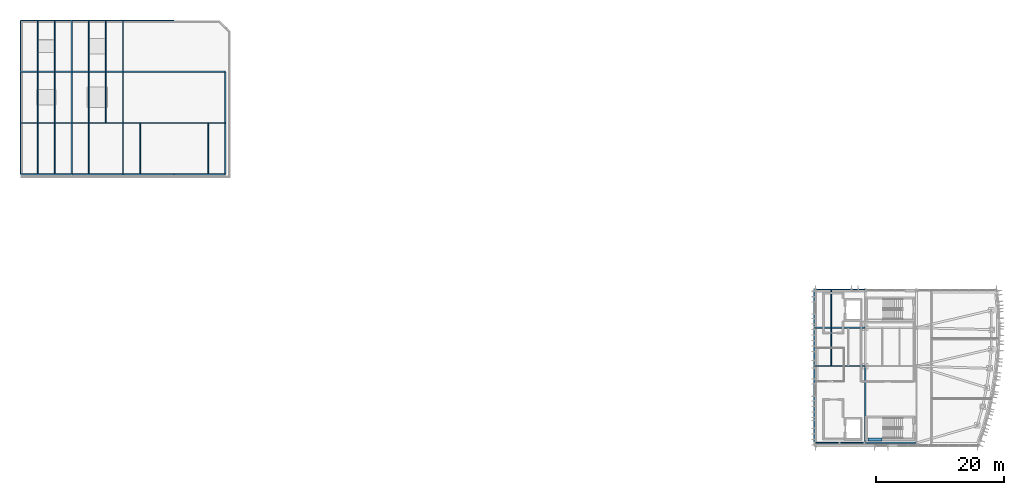
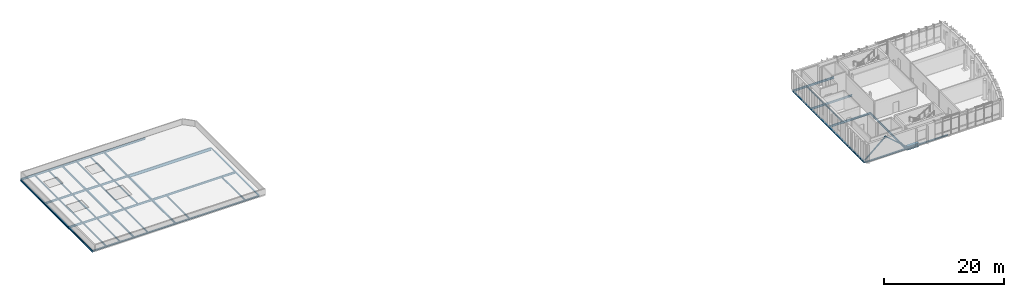
# One storey, part 2 of 14: 51 beams, 2 members.
"""IFC4 building model written with IfcOpenShell, lengths in metres."""

from ifc_helpers import new_model, si_unit, direction, frame, origin, origin_2d, place, context, subcontext, project, spatial, rectangle, hollow_rectangle, i_section, extrude, material, material_profile, profile_set, type_object, element, save


model = new_model("IFC4")

# Units and contexts
model_context = context("Model", 3, precision=1e-05, world=origin(), true_north=direction((0.0, 1.0)))
body_context = subcontext(model_context, "Body", "Model", "MODEL_VIEW")
ifc_project = project(units=[si_unit("LENGTHUNIT", "METRE"), si_unit("AREAUNIT", "SQUARE_METRE"), si_unit("VOLUMEUNIT", "CUBIC_METRE"), si_unit("PLANEANGLEUNIT", "RADIAN"), si_unit("MASSUNIT", "GRAM", prefix="KILO")], contexts=[model_context])

# Site, building, storey
site_placement = place(None, origin())
site = spatial("IfcSite", under=ifc_project, at=site_placement, CompositionType="ELEMENT")
building_placement = place(site_placement, origin())
building = spatial("IfcBuilding", under=site, at=building_placement, Name="Cymarion Research Institute", CompositionType="ELEMENT")
storey_placement = place(building_placement, frame((0.0, 0.0, 34.5)))
storey = spatial("IfcBuildingStorey", under=building, at=storey_placement, Name="L08", CompositionType="ELEMENT", Elevation=34.5)

# Beams
ifc_material_1 = material(Name="Concrete C40/50", Category="concrete")
ifc_material_profile_1 = material_profile(ifc_material_1, rectangle(XDim=0.5, YDim=0.800048828125, at=origin_2d()), Name="RC 500x800")
ifc_profile_set_1 = profile_set([ifc_material_profile_1], Name="Concrete C40/50")
beam_type_1 = type_object("IfcBeamType", Name="COUPLING LINTEL LN03 RC 500x800", PredefinedType="LINTEL", material=ifc_profile_set_1)
beam_1_placement = place(storey_placement, frame((147.0, 6.050048828125, -0.6201171875), z_axis=(1.0, 0.0, 0.0), x_axis=(0.0, 1.0, 0.0)))
element("IfcBeam", 1, at=beam_1_placement, inside=storey, type_object=beam_type_1, Name="L08 C1 core coupling lintel LN03", PredefinedType="LINTEL", context=body_context, shape_type="SweptSolid", body=[
    extrude(rectangle(XDim=0.5, YDim=0.800048828125, at=origin_2d()), origin(), (0.0, 0.0, 1.0), 2.199951171875),
])
ifc_material_2 = material(Name="Steel S355", Category="steel")
ifc_material_profile_2 = material_profile(ifc_material_2, i_section(OverallWidth=0.219970703125, OverallDepth=0.60009765625, WebThickness=0.011962890625, FlangeThickness=0.01904296875, FilletRadius=0.02392578125, at=origin_2d()), Name="IPE 600")
ifc_profile_set_2 = profile_set([ifc_material_profile_2], Name="Steel S355")
beam_type_2 = type_object("IfcBeamType", Name="PRIMARY GIRDER BM01 IPE 600", PredefinedType="BEAM", material=ifc_profile_set_2)
beam_2_placement = place(storey_placement, frame((30.60595703125, 63.5, -0.5400390625), z_axis=(1.0, 0.0, 0.0), x_axis=(0.0, 1.0, 0.0)))
element("IfcBeam", 2, at=beam_2_placement, inside=storey, type_object=beam_type_2, Name="L08 V4 girder BM01 #2358", PredefinedType="BEAM", context=body_context, shape_type="SweptSolid", body=[
    extrude(i_section(OverallWidth=0.219970703125, OverallDepth=0.60009765625, WebThickness=0.011962890625, FlangeThickness=0.01904296875, FilletRadius=0.02392578125, at=origin_2d()), origin(), (0.0, 0.0, 1.0), 15.988037109375),
])
ifc_material_profile_3 = material_profile(ifc_material_2, i_section(OverallWidth=0.179931640625, OverallDepth=0.39990234375, WebThickness=0.008544921875, FlangeThickness=0.013427734375, FilletRadius=0.02099609375, at=origin_2d()), Name="IPE 400")
ifc_profile_set_3 = profile_set([ifc_material_profile_3], Name="Steel S355")
beam_type_3 = type_object("IfcBeamType", Name="PRIMARY GIRDER BM05 IPE 400", PredefinedType="BEAM", material=ifc_profile_set_3)
for number, where, z_axis, x_axis, name in (
    (3, (138.60595703125, 17.5, -0.39990234375), (1.0, 0.0, 0.0), (0.0, 1.0, 0.0), "L08 V1 girder BM05 #2316"),
    (4, (138.60595703125, 23.5, -0.39990234375), (1.0, 0.0, 0.0), (0.0, 1.0, 0.0), "L08 V1 girder BM05 #2318"),
    (5, (138.60595703125, 29.5, -0.39990234375), (1.0, 0.0, 0.0), (0.0, 1.0, 0.0), "L08 V1 girder BM05 #2320"),
):
    element("IfcBeam", number, at=place(storey_placement, frame(where, z_axis=z_axis, x_axis=x_axis)), inside=storey, type_object=beam_type_3, Name=name, PredefinedType="BEAM", context=body_context, shape_type="SweptSolid", body=[
        extrude(i_section(OverallWidth=0.179931640625, OverallDepth=0.39990234375, WebThickness=0.008544921875, FlangeThickness=0.013427734375, FilletRadius=0.02099609375, at=origin_2d()), origin(), (0.0, 0.0, 1.0), 7.988037109375),
    ])
beam_3_placement = place(storey_placement, frame((146.60009765625, 5.506103515625, -0.39990234375), z_axis=(0.0, 1.0, 0.0), x_axis=(-1.0, 0.0, 0.0)))
element("IfcBeam", 6, at=beam_3_placement, inside=storey, type_object=beam_type_3, Name="L08 V1 girder BM05 #2326", PredefinedType="BEAM", context=body_context, shape_type="SweptSolid", body=[
    extrude(i_section(OverallWidth=0.179931640625, OverallDepth=0.39990234375, WebThickness=0.008544921875, FlangeThickness=0.013427734375, FilletRadius=0.02099609375, at=origin_2d()), origin(), (0.0, 0.0, 1.0), 11.98779296875),
])
for number, where, z_axis, x_axis, name in (
    (7, (14.60595703125, 55.5, -0.43994140625), (1.0, 0.0, 0.0), (0.0, 1.0, 0.0), "L08 V4 girder BM05 #2352"),
    (8, (22.60595703125, 55.5, -0.43994140625), (1.0, 0.0, 0.0), (0.0, 1.0, 0.0), "L08 V4 girder BM05 #2353"),
    (9, (30.60595703125, 55.5, -0.43994140625), (1.0, 0.0, 0.0), (0.0, 1.0, 0.0), "L08 V4 girder BM05 #2354"),
    (10, (38.60595703125, 55.5, -0.43994140625), (1.0, 0.0, 0.0), (0.0, 1.0, 0.0), "L08 V4 girder BM05 #2355"),
    (11, (14.60595703125, 63.5, -0.43994140625), (1.0, 0.0, 0.0), (0.0, 1.0, 0.0), "L08 V4 girder BM05 #2356"),
    (12, (22.60595703125, 63.5, -0.43994140625), (1.0, 0.0, 0.0), (0.0, 1.0, 0.0), "L08 V4 girder BM05 #2357"),
    (13, (14.60595703125, 71.5, -0.43994140625), (1.0, 0.0, 0.0), (0.0, 1.0, 0.0), "L08 V4 girder BM05 #2359"),
    (14, (22.60595703125, 71.5, -0.43994140625), (1.0, 0.0, 0.0), (0.0, 1.0, 0.0), "L08 V4 girder BM05 #2360"),
    (15, (30.60595703125, 71.5, -0.43994140625), (1.0, 0.0, 0.0), (0.0, 1.0, 0.0), "L08 V4 girder BM05 #2361"),
):
    element("IfcBeam", number, at=place(storey_placement, frame(where, z_axis=z_axis, x_axis=x_axis)), inside=storey, type_object=beam_type_3, Name=name, PredefinedType="BEAM", context=body_context, shape_type="SweptSolid", body=[
        extrude(i_section(OverallWidth=0.179931640625, OverallDepth=0.39990234375, WebThickness=0.008544921875, FlangeThickness=0.013427734375, FilletRadius=0.02099609375, at=origin_2d()), origin(), (0.0, 0.0, 1.0), 7.988037109375),
    ])
for number, where, z_axis, x_axis, name in (
    (16, (14.60009765625, 47.506103515625, -0.43994140625), (0.0, 1.0, 0.0), (-1.0, 0.0, 0.0), "L08 V4 girder BM05 #2362"),
    (17, (14.60009765625, 55.506103515625, -0.43994140625), (0.0, 1.0, 0.0), (-1.0, 0.0, 0.0), "L08 V4 girder BM05 #2363"),
    (18, (14.60009765625, 63.506103515625, -0.43994140625), (0.0, 1.0, 0.0), (-1.0, 0.0, 0.0), "L08 V4 girder BM05 #2364"),
    (19, (22.60009765625, 47.506103515625, -0.43994140625), (0.0, 1.0, 0.0), (-1.0, 0.0, 0.0), "L08 V4 girder BM05 #2365"),
    (20, (22.60009765625, 55.506103515625, -0.43994140625), (0.0, 1.0, 0.0), (-1.0, 0.0, 0.0), "L08 V4 girder BM05 #2366"),
    (21, (22.60009765625, 63.506103515625, -0.43994140625), (0.0, 1.0, 0.0), (-1.0, 0.0, 0.0), "L08 V4 girder BM05 #2367"),
    (22, (30.60009765625, 47.506103515625, -0.43994140625), (0.0, 1.0, 0.0), (-1.0, 0.0, 0.0), "L08 V4 girder BM05 #2368"),
    (23, (30.60009765625, 55.506103515625, -0.43994140625), (0.0, 1.0, 0.0), (-1.0, 0.0, 0.0), "L08 V4 girder BM05 #2369"),
    (24, (30.60009765625, 63.506103515625, -0.43994140625), (0.0, 1.0, 0.0), (-1.0, 0.0, 0.0), "L08 V4 girder BM05 #2370"),
):
    element("IfcBeam", number, at=place(storey_placement, frame(where, z_axis=z_axis, x_axis=x_axis)), inside=storey, type_object=beam_type_3, Name=name, PredefinedType="BEAM", context=body_context, shape_type="SweptSolid", body=[
        extrude(i_section(OverallWidth=0.179931640625, OverallDepth=0.39990234375, WebThickness=0.008544921875, FlangeThickness=0.013427734375, FilletRadius=0.02099609375, at=origin_2d()), origin(), (0.0, 0.0, 1.0), 7.98779296875),
    ])
ifc_material_profile_4 = material_profile(ifc_material_2, i_section(OverallWidth=0.14990234375, OverallDepth=0.300048828125, WebThickness=0.007080078125, FlangeThickness=0.0107421875, FilletRadius=0.014892578125, at=origin_2d()), Name="IPE 300")
ifc_profile_set_4 = profile_set([ifc_material_profile_4], Name="Steel S355")
beam_type_4 = type_object("IfcBeamType", Name="SECONDARY JOIST JS02 IPE 300", PredefinedType="JOIST", material=ifc_profile_set_4)
for number, where, z_axis, x_axis, name in (
    (25, (17.2666015625, 47.6240234375, -0.389892578125), (0.0, 1.0, 0.0), (-1.0, 0.0, 0.0), "L08 V4 secondary joist JS02 #2373"),
    (26, (19.933349609375, 47.6240234375, -0.389892578125), (0.0, 1.0, 0.0), (-1.0, 0.0, 0.0), "L08 V4 secondary joist JS02 #2374"),
    (27, (25.2666015625, 47.6240234375, -0.389892578125), (0.0, 1.0, 0.0), (-1.0, 0.0, 0.0), "L08 V4 secondary joist JS02 #2375"),
    (28, (33.2666015625, 47.6240234375, -0.389892578125), (0.0, 1.0, 0.0), (-1.0, 0.0, 0.0), "L08 V4 secondary joist JS02 #2376"),
    (29, (43.933349609375, 47.6240234375, -0.389892578125), (0.0, 1.0, 0.0), (-1.0, 0.0, 0.0), "L08 V4 secondary joist JS02 #2377"),
):
    element("IfcBeam", number, at=place(storey_placement, frame(where, z_axis=z_axis, x_axis=x_axis)), inside=storey, type_object=beam_type_4, Name=name, PredefinedType="JOIST", context=body_context, shape_type="SweptSolid", body=[
        extrude(i_section(OverallWidth=0.14990234375, OverallDepth=0.300048828125, WebThickness=0.007080078125, FlangeThickness=0.0107421875, FilletRadius=0.014892578125, at=origin_2d()), origin(), (0.0, 0.0, 1.0), 7.781982421875),
    ])
for number, where, z_axis, x_axis, name in (
    (30, (17.2666015625, 55.593994140625, -0.389892578125), (0.0, 1.0, 0.0), (-1.0, 0.0, 0.0), "L08 V4 secondary joist JS02 #2378"),
    (31, (19.933349609375, 55.593994140625, -0.389892578125), (0.0, 1.0, 0.0), (-1.0, 0.0, 0.0), "L08 V4 secondary joist JS02 #2379"),
    (32, (25.2666015625, 55.593994140625, -0.389892578125), (0.0, 1.0, 0.0), (-1.0, 0.0, 0.0), "L08 V4 secondary joist JS02 #2380"),
    (33, (27.933349609375, 55.593994140625, -0.389892578125), (0.0, 1.0, 0.0), (-1.0, 0.0, 0.0), "L08 V4 secondary joist JS02 #2381"),
    (34, (17.2666015625, 63.593994140625, -0.389892578125), (0.0, 1.0, 0.0), (-1.0, 0.0, 0.0), "L08 V4 secondary joist JS02 #2382"),
    (35, (19.933349609375, 63.593994140625, -0.389892578125), (0.0, 1.0, 0.0), (-1.0, 0.0, 0.0), "L08 V4 secondary joist JS02 #2383"),
    (36, (25.2666015625, 63.593994140625, -0.389892578125), (0.0, 1.0, 0.0), (-1.0, 0.0, 0.0), "L08 V4 secondary joist JS02 #2384"),
    (37, (27.933349609375, 63.593994140625, -0.389892578125), (0.0, 1.0, 0.0), (-1.0, 0.0, 0.0), "L08 V4 secondary joist JS02 #2385"),
):
    element("IfcBeam", number, at=place(storey_placement, frame(where, z_axis=z_axis, x_axis=x_axis)), inside=storey, type_object=beam_type_4, Name=name, PredefinedType="JOIST", context=body_context, shape_type="SweptSolid", body=[
        extrude(i_section(OverallWidth=0.14990234375, OverallDepth=0.300048828125, WebThickness=0.007080078125, FlangeThickness=0.0107421875, FilletRadius=0.014892578125, at=origin_2d()), origin(), (0.0, 0.0, 1.0), 7.81201171875),
    ])
ifc_material_profile_5 = material_profile(ifc_material_2, i_section(OverallWidth=0.1201171875, OverallDepth=0.239990234375, WebThickness=0.006103515625, FlangeThickness=0.009765625, FilletRadius=0.014892578125, at=origin_2d()), Name="IPE 240")
ifc_profile_set_5 = profile_set([ifc_material_profile_5], Name="Steel S355")
beam_type_5 = type_object("IfcBeamType", Name="SECONDARY JOIST JS04 IPE 240", PredefinedType="JOIST", material=ifc_profile_set_5)
for number, where, z_axis, x_axis, name in (
    (38, (141.2666015625, 17.593994140625, -0.320068359375), (0.0, 1.0, 0.0), (-1.0, 0.0, 0.0), "L08 V1 secondary joist JS04 #2343"),
    (39, (141.2666015625, 23.593994140625, -0.320068359375), (0.0, 1.0, 0.0), (-1.0, 0.0, 0.0), "L08 V1 secondary joist JS04 #2347"),
):
    element("IfcBeam", number, at=place(storey_placement, frame(where, z_axis=z_axis, x_axis=x_axis)), inside=storey, type_object=beam_type_5, Name=name, PredefinedType="JOIST", context=body_context, shape_type="SweptSolid", body=[
        extrude(i_section(OverallWidth=0.1201171875, OverallDepth=0.239990234375, WebThickness=0.006103515625, FlangeThickness=0.009765625, FilletRadius=0.014892578125, at=origin_2d()), origin(), (0.0, 0.0, 1.0), 5.81201171875),
    ])
ifc_material_profile_6 = material_profile(ifc_material_2, i_section(OverallWidth=0.239990234375, OverallDepth=0.22998046875, WebThickness=0.007568359375, FlangeThickness=0.011962890625, FilletRadius=0.02099609375, at=origin_2d()), Name="HEA 240")
ifc_profile_set_6 = profile_set([ifc_material_profile_6], Name="Steel S355")
beam_type_6 = type_object("IfcBeamType", Name="SPANDREL BEAM SPB03 HEA 240", PredefinedType="SPANDREL", material=ifc_profile_set_6)
for number, where, z_axis, x_axis, name in (
    (40, (138.60595703125, 5.5, -0.31494140625), (1.0, 0.0, 0.0), (0.0, 1.0, 0.0), "L08 V1 girder SPB03 #2314"),
    (41, (146.60595703125, 5.5, -0.31494140625), (1.0, 0.0, 0.0), (0.0, 1.0, 0.0), "L08 V1 girder SPB03 #2315"),
):
    element("IfcBeam", number, at=place(storey_placement, frame(where, z_axis=z_axis, x_axis=x_axis)), inside=storey, type_object=beam_type_6, Name=name, PredefinedType="SPANDREL", context=body_context, shape_type="SweptSolid", body=[
        extrude(i_section(OverallWidth=0.239990234375, OverallDepth=0.22998046875, WebThickness=0.007568359375, FlangeThickness=0.011962890625, FilletRadius=0.02099609375, at=origin_2d()), origin(), (0.0, 0.0, 1.0), 7.988037109375),
    ])
for number, where, z_axis, x_axis, name in (
    (42, (138.60009765625, 5.506103515625, -0.31494140625), (0.0, 1.0, 0.0), (-1.0, 0.0, 0.0), "L08 V1 girder SPB03 #2322"),
    (43, (138.60009765625, 11.506103515625, -0.31494140625), (0.0, 1.0, 0.0), (-1.0, 0.0, 0.0), "L08 V1 girder SPB03 #2323"),
    (44, (138.60009765625, 17.506103515625, -0.31494140625), (0.0, 1.0, 0.0), (-1.0, 0.0, 0.0), "L08 V1 girder SPB03 #2324"),
    (45, (138.60009765625, 23.506103515625, -0.31494140625), (0.0, 1.0, 0.0), (-1.0, 0.0, 0.0), "L08 V1 girder SPB03 #2325"),
):
    element("IfcBeam", number, at=place(storey_placement, frame(where, z_axis=z_axis, x_axis=x_axis)), inside=storey, type_object=beam_type_6, Name=name, PredefinedType="SPANDREL", context=body_context, shape_type="SweptSolid", body=[
        extrude(i_section(OverallWidth=0.239990234375, OverallDepth=0.22998046875, WebThickness=0.007568359375, FlangeThickness=0.011962890625, FilletRadius=0.02099609375, at=origin_2d()), origin(), (0.0, 0.0, 1.0), 5.98779296875),
    ])
for number, where, z_axis, x_axis, name in (
    (46, (14.60595703125, 47.5, -0.35498046875), (1.0, 0.0, 0.0), (0.0, 1.0, 0.0), "L08 V4 girder SPB03 #2348"),
    (47, (22.60595703125, 47.5, -0.35498046875), (1.0, 0.0, 0.0), (0.0, 1.0, 0.0), "L08 V4 girder SPB03 #2349"),
    (48, (30.60595703125, 47.5, -0.35498046875), (1.0, 0.0, 0.0), (0.0, 1.0, 0.0), "L08 V4 girder SPB03 #2350"),
    (49, (38.60595703125, 47.5, -0.35498046875), (1.0, 0.0, 0.0), (0.0, 1.0, 0.0), "L08 V4 girder SPB03 #2351"),
):
    element("IfcBeam", number, at=place(storey_placement, frame(where, z_axis=z_axis, x_axis=x_axis)), inside=storey, type_object=beam_type_6, Name=name, PredefinedType="SPANDREL", context=body_context, shape_type="SweptSolid", body=[
        extrude(i_section(OverallWidth=0.239990234375, OverallDepth=0.22998046875, WebThickness=0.007568359375, FlangeThickness=0.011962890625, FilletRadius=0.02099609375, at=origin_2d()), origin(), (0.0, 0.0, 1.0), 7.988037109375),
    ])
ifc_material_profile_7 = material_profile(ifc_material_2, i_section(OverallWidth=0.199951171875, OverallDepth=0.18994140625, WebThickness=0.006591796875, FlangeThickness=0.010009765625, FilletRadius=0.01806640625, at=origin_2d()), Name="HEA 200")
ifc_profile_set_7 = profile_set([ifc_material_profile_7], Name="Steel S355")
beam_type_7 = type_object("IfcBeamType", Name="SPANDREL BEAM SPB04 HEA 200", PredefinedType="SPANDREL", material=ifc_profile_set_7)
for number, where, z_axis, x_axis, name in (
    (50, (46.60009765625, 47.506103515625, -0.3349609375), (0.0, 1.0, 0.0), (-1.0, 0.0, 0.0), "L08 V4 girder SPB04 #2371"),
    (51, (46.60009765625, 55.506103515625, -0.3349609375), (0.0, 1.0, 0.0), (-1.0, 0.0, 0.0), "L08 V4 girder SPB04 #2372"),
):
    element("IfcBeam", number, at=place(storey_placement, frame(where, z_axis=z_axis, x_axis=x_axis)), inside=storey, type_object=beam_type_7, Name=name, PredefinedType="SPANDREL", context=body_context, shape_type="SweptSolid", body=[
        extrude(i_section(OverallWidth=0.199951171875, OverallDepth=0.18994140625, WebThickness=0.006591796875, FlangeThickness=0.010009765625, FilletRadius=0.01806640625, at=origin_2d()), origin(), (0.0, 0.0, 1.0), 7.98779296875),
    ])

# Members
ifc_material_profile_8 = material_profile(ifc_material_2, hollow_rectangle(XDim=0.199951171875, YDim=0.199951171875, WallThickness=0.010009765625, InnerFilletRadius=0.014892578125, OuterFilletRadius=0.02490234375, at=origin_2d()), Name="SHS 200x200x10")
ifc_profile_set_8 = profile_set([ifc_material_profile_8], Name="Steel S355")
member_type = type_object("IfcMemberType", Name="STRUCTURAL MEMBER BR07 SHS 200x200x10", PredefinedType="BRACE", material=ifc_profile_set_8)
for number, where, z_axis, x_axis, name in (
    (52, (138.615234375, 5.5, 0.1201171875), (0.756332128238, 0.0, 0.654187826082), (0.0, 1.0, 0.0), "L08 V1 seismic chevron brace BR07 #1"),
    (53, (146.584716796875, 5.5, 0.1201171875), (-0.756332128238, 0.0, 0.654187826082), (0.0, -1.0, 0.0), "L08 V1 seismic chevron brace BR07 #2"),
):
    element("IfcMember", number, at=place(storey_placement, frame(where, z_axis=z_axis, x_axis=x_axis)), inside=storey, type_object=member_type, Name=name, PredefinedType="BRACE", context=body_context, shape_type="SweptSolid", body=[
        extrude(hollow_rectangle(XDim=0.199951171875, YDim=0.199951171875, WallThickness=0.010009765625, InnerFilletRadius=0.014892578125, OuterFilletRadius=0.02490234375, at=origin_2d()), origin(), (0.0, 0.0, 1.0), 5.25830078125),
    ])

save(model, "model.ifc")
